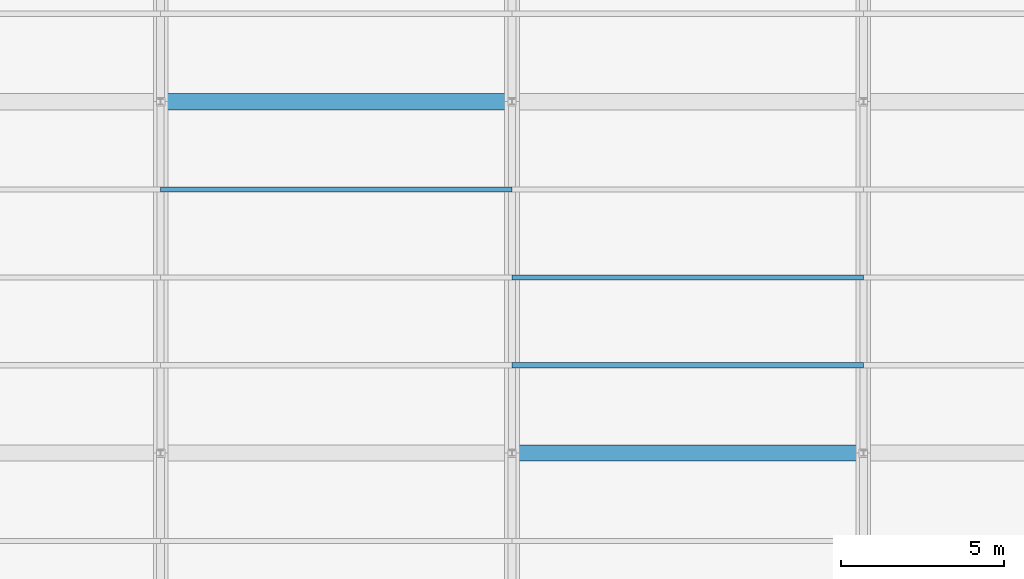
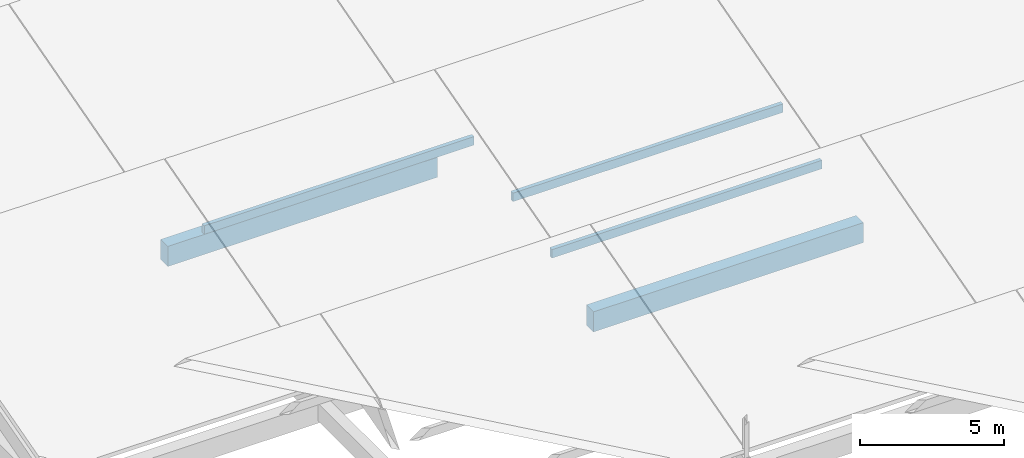
# One storey, part 11 of 112: 3 members, 2 beams.
"""IFC4 building model written with IfcOpenShell, lengths in metres."""

from ifc_helpers import new_model, si_unit, direction, frame, origin, origin_2d, place, context, subcontext, project, spatial, rectangle, extrude, material, material_profile, profile_set, type_object, element, save


model = new_model("IFC4")

# Units and contexts
model_context = context("Model", 3, precision=1e-05, world=origin(), true_north=direction((0.0, 1.0)))
body_context = subcontext(model_context, "Body", "Model", "MODEL_VIEW")
ifc_project = project(units=[si_unit("LENGTHUNIT", "METRE"), si_unit("AREAUNIT", "SQUARE_METRE"), si_unit("VOLUMEUNIT", "CUBIC_METRE"), si_unit("PLANEANGLEUNIT", "RADIAN"), si_unit("MASSUNIT", "GRAM", prefix="KILO")], contexts=[model_context])

# Site, building, storey
site_placement = place(None, origin())
site = spatial("IfcSite", under=ifc_project, at=site_placement, CompositionType="ELEMENT")
building_placement = place(site_placement, origin())
building = spatial("IfcBuilding", under=site, at=building_placement, Name="Zwinboog Wholesale Market", CompositionType="ELEMENT")
storey_placement = place(building_placement, frame((0.0, 0.0, 19.080078125)))
storey = spatial("IfcBuildingStorey", under=building, at=storey_placement, Name="Roof", CompositionType="ELEMENT", Elevation=19.080078125)

# Beams
ifc_material_1 = material(Name="Precast concrete C45/55", Category="concrete")
ifc_material_profile_1 = material_profile(ifc_material_1, rectangle(XDim=0.5, YDim=0.85009765625, at=origin_2d()), Name="PC 500x850")
ifc_profile_set_1 = profile_set([ifc_material_profile_1], Name="Precast concrete C45/55")
beam_type = type_object("IfcBeamType", Name="BT-03", PredefinedType="BEAM", material=ifc_profile_set_1)
beam_1_placement = place(storey_placement, frame((21.60009765625, 32.39990234375, -9.425048828125), z_axis=(1.0, 0.0, 0.0), x_axis=(0.0, 1.0, 0.0)))
element("IfcBeam", 1, at=beam_1_placement, inside=storey, type_object=beam_type, Name="BG-03 (BMG-Roof-0216-0324-1161)", PredefinedType="BEAM", context=body_context, shape_type="SweptSolid", body=[
    extrude(rectangle(XDim=0.5, YDim=0.85009765625, at=origin_2d()), origin(), (0.0, 0.0, 1.0), 10.7998046875),
])
beam_2_placement = place(storey_placement, frame((10.800048828125, 43.199951171875, -9.425048828125), z_axis=(1.0, 0.0, 0.0), x_axis=(0.0, 1.0, 0.0)))
element("IfcBeam", 2, at=beam_2_placement, inside=storey, type_object=beam_type, Name="BG-03 (BMG-Roof-0108-0432-1164)", PredefinedType="BEAM", context=body_context, shape_type="SweptSolid", body=[
    extrude(rectangle(XDim=0.5, YDim=0.85009765625, at=origin_2d()), origin(), (0.0, 0.0, 1.0), 10.800048828125),
])

# Members
ifc_material_2 = material(Name="Glulam GL28h", Category="wood")
ifc_material_profile_2 = material_profile(ifc_material_2, rectangle(XDim=0.159912109375, YDim=0.360107421875, at=origin_2d()), Name="GL28h 160x360")
ifc_profile_set_2 = profile_set([ifc_material_profile_2], Name="Glulam GL28h")
member_type = type_object("IfcMemberType", Name="MT-12", PredefinedType="PURLIN", material=ifc_profile_set_2)
member_placement = place(storey_placement, frame((10.800048828125, 40.5, -6.773193359375), z_axis=(1.0, 0.0, 0.0), x_axis=(0.0, 1.0, 0.0)))
element("IfcMember", 3, at=member_placement, inside=storey, type_object=member_type, Name="GP-01 (MEM-Roof-0727)", PredefinedType="PURLIN", context=body_context, shape_type="SweptSolid", body=[
    extrude(rectangle(XDim=0.159912109375, YDim=0.360107421875, at=origin_2d()), origin(), (0.0, 0.0, 1.0), 10.800048828125),
])
for number, where, z_axis, x_axis, name in (
    (4, (21.60009765625, 35.10009765625, -8.285888671875), (1.0, 0.0, 0.0), (0.0, 1.0, 0.0), "GP-01 (MEM-Roof-0730)"),
    (5, (21.60009765625, 37.800048828125, -7.535888671875), (1.0, 0.0, 0.0), (0.0, 1.0, 0.0), "GP-01 (MEM-PRL-Roof-0015)"),
):
    element("IfcMember", number, at=place(storey_placement, frame(where, z_axis=z_axis, x_axis=x_axis)), inside=storey, type_object=member_type, Name=name, PredefinedType="PURLIN", context=body_context, shape_type="SweptSolid", body=[
        extrude(rectangle(XDim=0.159912109375, YDim=0.360107421875, at=origin_2d()), origin(), (0.0, 0.0, 1.0), 10.7998046875),
    ])

save(model, "model.ifc")
